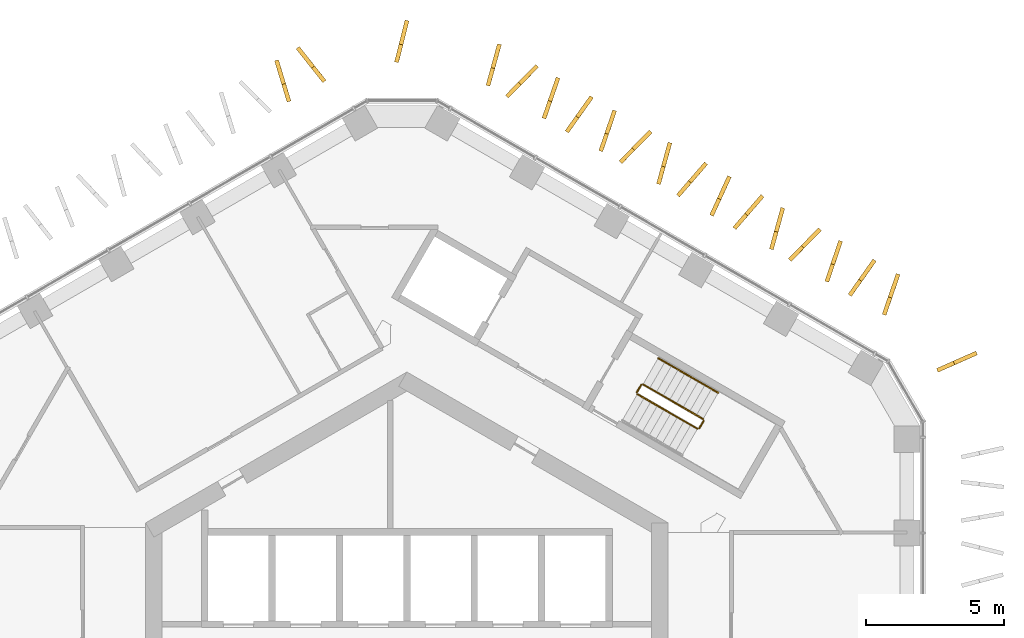
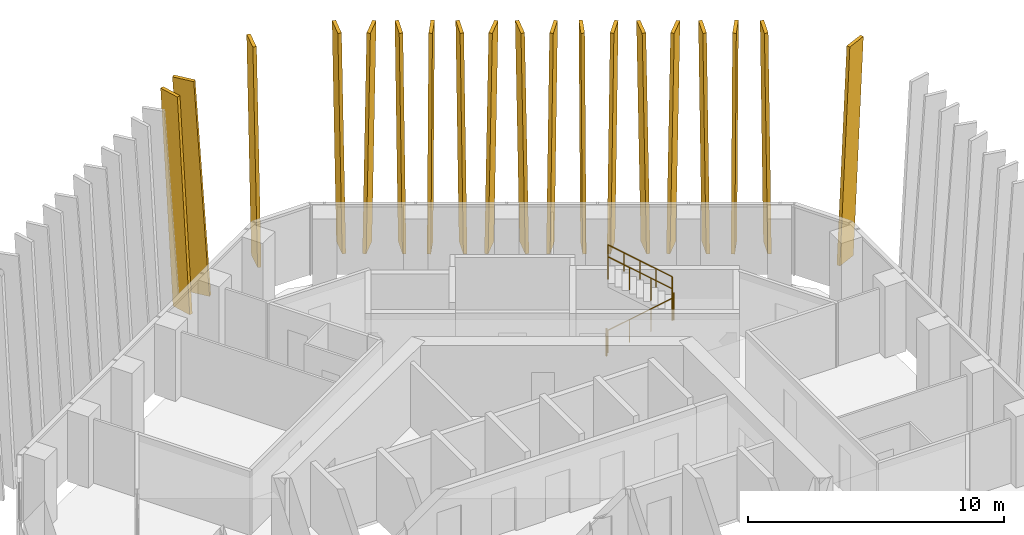
# One storey, part 20 of 20: 19 shading devices, 6 railings.
"""IFC4 building model written with IfcOpenShell, lengths in metres."""

from ifc_helpers import new_model, si_unit, direction, frame, origin, origin_2d, place, context, subcontext, project, spatial, polyline, circle, outline, extrude, material, layer, layer_set, type_object, element, save


model = new_model("IFC4")

# Units and contexts
model_context = context("Model", 3, precision=1e-05, world=origin(), true_north=direction((0.0, 1.0)))
body_context = subcontext(model_context, "Body", "Model", "MODEL_VIEW")
ifc_project = project(units=[si_unit("LENGTHUNIT", "METRE"), si_unit("AREAUNIT", "SQUARE_METRE"), si_unit("VOLUMEUNIT", "CUBIC_METRE"), si_unit("PLANEANGLEUNIT", "RADIAN"), si_unit("MASSUNIT", "GRAM", prefix="KILO")], contexts=[model_context])

# Site, building, storey
site_placement = place(None, origin())
site = spatial("IfcSite", under=ifc_project, at=site_placement, CompositionType="ELEMENT")
building_placement = place(site_placement, origin())
building = spatial("IfcBuilding", under=site, at=building_placement, Name="Ayvan Gate Tower", CompositionType="ELEMENT")
storey_placement = place(building_placement, frame((0.0, 0.0, 162.89990234375)))
storey = spatial("IfcBuildingStorey", under=building, at=storey_placement, Name="L43", CompositionType="ELEMENT", Elevation=162.89990234375)

# Shading devices
ifc_material_1 = material(Name="Bronze anodised aluminium", Category="aluminium")
ifc_layer = layer(ifc_material_1, 0.14990234375)
ifc_layer_set = layer_set([ifc_layer], Name="Bronze anodised aluminium")
shading_device_type = type_object("IfcShadingDeviceType", Name="Bronze fin 900 x 150", PredefinedType="USERDEFINED", material=ifc_layer_set)
shading_device_1_placement = place(storey_placement, frame((-2.94140625, 21.58251953125, 0.0), z_axis=(0.784625776684, 0.619969649995, 0.000153777416), x_axis=(-0.619969657325, 0.784625785962, -3.435e-09)))
element("IfcShadingDevice", 1, at=shading_device_1_placement, inside=storey, type_object=shading_device_type, Name="Bronze fin FG16.1.1", ObjectType="FIN", PredefinedType="USERDEFINED", context=body_context, shape_type="SweptSolid", body=[
    extrude(outline(polyline([(0.0, 0.0), (0.8998458105442935, 1.3552527156068805e-20), (1.5641588154903632, 10.080078249557001), (0.6639700861366734, 10.080078243374087), (0.0, 0.0)])), origin(), (0.0, 0.0, -1.0), 0.14990234375),
])
shading_device_2_placement = place(storey_placement, frame((-4.216552734375, 20.8291015625, 0.0), z_axis=(0.957527129808, 0.28834315552, 0.000142637055), x_axis=(-0.288343158453, 0.957527139549, 0.0)))
element("IfcShadingDevice", 2, at=shading_device_2_placement, inside=storey, type_object=shading_device_type, Name="Bronze fin FG16.1.2", ObjectType="FIN", PredefinedType="USERDEFINED", context=body_context, shape_type="SweptSolid", body=[
    extrude(outline(polyline([(0.0, 0.0), (0.900043842784266, 6.776263578034403e-21), (1.5641635301437735, 10.080078227541255), (0.6641196873595073, 10.080078227541255), (0.0, 0.0)])), origin(), (0.0, 0.0, -1.0), 0.14990234375),
])
shading_device_3_placement = place(storey_placement, frame((19.31396484375, 10.9609375, 0.0), z_axis=(0.403947415409, -0.914782192584, 0.000160362529), x_axis=(0.914782204346, 0.403947420602, 0.0)))
element("IfcShadingDevice", 3, at=shading_device_3_placement, inside=storey, type_object=shading_device_type, Name="Bronze fin FG16.10.80", ObjectType="FIN", PredefinedType="USERDEFINED", context=body_context, shape_type="SweptSolid", body=[
    extrude(outline(polyline([(0.0, 0.0), (0.899932446858565, -6.776263578034403e-21), (1.5641195708259832, 10.080078254610356), (0.664187123967418, 10.080078254610356), (0.0, 0.0)])), origin(), (0.0, 0.0, -1.0), 0.14990234375),
])
shading_device_4_placement = place(storey_placement, frame((17.421630859375, 13.028076171875, 0.0), z_axis=(0.945293661787, -0.326220584962, 0.000151431712), x_axis=(0.3262205887, 0.945293672627, 1.2718e-08)))
element("IfcShadingDevice", 4, at=shading_device_4_placement, inside=storey, type_object=shading_device_type, Name="Bronze fin FG16.11.81", ObjectType="FIN", PredefinedType="USERDEFINED", context=body_context, shape_type="SweptSolid", body=[
    extrude(outline(polyline([(0.0, 0.0), (0.8997852302365967, -6.776263578034403e-21), (1.5640706300630043, 10.080078220683616), (0.6639749715399507, 10.080078243575088), (0.0, 0.0)])), origin(), (0.0, 0.0, -1.0), 0.14990234375),
])
shading_device_5_placement = place(storey_placement, frame((16.161865234375, 13.717529296875, 0.0), z_axis=(0.815699135241, -0.578476357134, 0.000158129439), x_axis=(0.578476364368, 0.815699145437, -1.7493e-08)))
element("IfcShadingDevice", 5, at=shading_device_5_placement, inside=storey, type_object=shading_device_type, Name="Bronze fin FG16.11.82", ObjectType="FIN", PredefinedType="USERDEFINED", context=body_context, shape_type="SweptSolid", body=[
    extrude(outline(polyline([(0.0, 0.0), (0.900072611212821, 0.0), (1.5642204181873203, 10.080078278389374), (0.664289036555644, 10.08007824690111), (0.0, 0.0)])), origin(), (0.0, 0.0, -1.0), 0.14990234375),
])
shading_device_6_placement = place(storey_placement, frame((15.3369140625, 14.232177734375, 0.0), z_axis=(0.946088520748, -0.323908155921, 0.000132045907), x_axis=(0.323908158744, 0.946088528997, 5.801e-09)))
element("IfcShadingDevice", 6, at=shading_device_6_placement, inside=storey, type_object=shading_device_type, Name="Bronze fin FG16.11.83", ObjectType="FIN", PredefinedType="USERDEFINED", context=body_context, shape_type="SweptSolid", body=[
    extrude(outline(polyline([(0.0, 0.0), (0.9000740065138428, 0.0), (1.5641174021985342, 10.080078203805794), (0.664274374329466, 10.08007821424653), (0.0, 0.0)])), origin(), (0.0, 0.0, -1.0), 0.14990234375),
])
shading_device_7_placement = place(storey_placement, frame((13.97509765625, 14.99267578125, 0.0), z_axis=(0.712376912473, -0.701797057337, 0.000157761678), x_axis=(0.70179706607, 0.712376921338, 0.0)))
element("IfcShadingDevice", 7, at=shading_device_7_placement, inside=storey, type_object=shading_device_type, Name="Bronze fin FG16.11.84", ObjectType="FIN", PredefinedType="USERDEFINED", context=body_context, shape_type="SweptSolid", body=[
    extrude(outline(polyline([(0.0, 0.0), (0.8999635755267725, 0.0), (1.5642877378861004, 10.080078250440259), (0.6643241623593277, 10.080078250440259), (0.0, 0.0)])), origin(), (0.0, 0.0, -1.0), 0.14990234375),
])
shading_device_8_placement = place(storey_placement, frame((13.323486328125, 15.412109375, 0.0), z_axis=(0.963574225288, -0.267441009468, 0.000137169557), x_axis=(0.267441011984, 0.963574234353, -4.976e-09)))
element("IfcShadingDevice", 8, at=shading_device_8_placement, inside=storey, type_object=shading_device_type, Name="Bronze fin FG16.11.85", ObjectType="FIN", PredefinedType="USERDEFINED", context=body_context, shape_type="SweptSolid", body=[
    extrude(outline(polyline([(0.0, 0.0), (0.8999786421479704, 0.0), (1.5641747900774672, 10.080078227613825), (0.6639609003136883, 10.080078218656414), (0.0, 0.0)])), origin(), (0.0, 0.0, -1.0), 0.14990234375),
])
shading_device_9_placement = place(storey_placement, frame((11.96435546875, 16.145751953125, 0.0), z_axis=(0.755760674791, -0.654847907015, 0.000145319932), x_axis=(0.65484791393, 0.755760682771, 0.0)))
element("IfcShadingDevice", 9, at=shading_device_9_placement, inside=storey, type_object=shading_device_type, Name="Bronze fin FG16.11.86", ObjectType="FIN", PredefinedType="USERDEFINED", context=body_context, shape_type="SweptSolid", body=[
    extrude(outline(polyline([(0.0, 0.0), (0.8999883121155409, 0.0), (1.5641806337856001, 10.080078231434955), (0.6641923216700593, 10.080078231434955), (0.0, 0.0)])), origin(), (0.0, 0.0, -1.0), 0.14990234375),
])
shading_device_10_placement = place(storey_placement, frame((11.1435546875, 16.630859375, 0.0), z_axis=(0.90844306401, -0.418008588127, 0.000140372471), x_axis=(0.418008592246, 0.90844307296, 0.0)))
element("IfcShadingDevice", 10, at=shading_device_10_placement, inside=storey, type_object=shading_device_type, Name="Bronze fin FG16.11.87", ObjectType="FIN", PredefinedType="USERDEFINED", context=body_context, shape_type="SweptSolid", body=[
    extrude(outline(polyline([(0.0, 0.0), (0.9000310283186577, 0.0), (1.56425805198195, 10.0800782243111), (0.6642270236632923, 10.0800782243111), (0.0, 0.0)])), origin(), (0.0, 0.0, -1.0), 0.14990234375),
])
shading_device_11_placement = place(storey_placement, frame((9.910888671875, 17.331298828125, 0.0), z_axis=(0.75494121589, -0.655792450383, 0.000150236611), x_axis=(0.655792457785, 0.754941224409, -1.5382e-08)))
element("IfcShadingDevice", 11, at=shading_device_11_placement, inside=storey, type_object=shading_device_type, Name="Bronze fin FG16.11.88", ObjectType="FIN", PredefinedType="USERDEFINED", context=body_context, shape_type="SweptSolid", body=[
    extrude(outline(polyline([(0.0, 0.0), (0.9000750953258425, 0.0), (1.5642164984338918, 10.080078262820113), (0.6643015086885634, 10.080078235132191), (0.0, 0.0)])), origin(), (0.0, 0.0, -1.0), 0.14990234375),
])
shading_device_12_placement = place(storey_placement, frame((9.218994140625, 17.781982421875, 0.0), z_axis=(0.963679007325, -0.267063190066, 0.000152818116), x_axis=(0.267063193183, 0.963679018578, 1.4441e-08)))
element("IfcShadingDevice", 12, at=shading_device_12_placement, inside=storey, type_object=shading_device_type, Name="Bronze fin FG16.11.89", ObjectType="FIN", PredefinedType="USERDEFINED", context=body_context, shape_type="SweptSolid", body=[
    extrude(outline(polyline([(0.0, 0.0), (0.8998481582226807, 1.3552527156068805e-20), (1.5642150779709636, 10.080078220112492), (0.6640664455754898, 10.080078246106948), (0.0, 0.0)])), origin(), (0.0, 0.0, -1.0), 0.14990234375),
])
shading_device_13_placement = place(storey_placement, frame((7.81787109375, 18.547607421875, 0.0), z_axis=(0.712646093891, -0.701523714809, 0.000149738789), x_axis=(0.701523722674, 0.712646101881, 0.0)))
element("IfcShadingDevice", 13, at=shading_device_13_placement, inside=storey, type_object=shading_device_type, Name="Bronze fin FG16.11.90", ObjectType="FIN", PredefinedType="USERDEFINED", context=body_context, shape_type="SweptSolid", body=[
    extrude(outline(polyline([(0.0, 0.0), (0.8999662247254143, 0.0), (1.5641196778321773, 10.08007823800627), (0.6641534531067631, 10.08007823800627), (0.0, 0.0)])), origin(), (0.0, 0.0, -1.0), 0.14990234375),
])
shading_device_14_placement = place(storey_placement, frame((7.1181640625, 18.977294921875, 0.0), z_axis=(0.945949502807, -0.324313917581, 0.00014492343), x_axis=(0.324313920989, 0.94594951274, -1.8594e-08)))
element("IfcShadingDevice", 14, at=shading_device_14_placement, inside=storey, type_object=shading_device_type, Name="Bronze fin FG16.11.91", ObjectType="FIN", PredefinedType="USERDEFINED", context=body_context, shape_type="SweptSolid", body=[
    extrude(outline(polyline([(0.0, 0.0), (0.9000013184635414, 0.0), (1.5640438532245873, 10.080078259936812), (0.6641217129644126, 10.080078226468986), (0.0, 0.0)])), origin(), (0.0, 0.0, -1.0), 0.14990234375),
])
shading_device_15_placement = place(storey_placement, frame((5.873046875, 19.657958984375, 0.0), z_axis=(0.815023640414, -0.579427690439, 0.000130837626), x_axis=(0.5794276954, 0.815023647389, -1.0284e-08)))
element("IfcShadingDevice", 15, at=shading_device_15_placement, inside=storey, type_object=shading_device_type, Name="Bronze fin FG16.11.92", ObjectType="FIN", PredefinedType="USERDEFINED", context=body_context, shape_type="SweptSolid", body=[
    extrude(outline(polyline([(0.0, 0.0), (0.8998995591140819, 1.3552527156068805e-20), (1.564212897353353, 10.080078227363675), (0.6641143578566073, 10.080078208853099), (0.0, 0.0)])), origin(), (0.0, 0.0, -1.0), 0.14990234375),
])
shading_device_16_placement = place(storey_placement, frame((5.05419921875, 20.16796875, 0.0), z_axis=(0.944690579744, -0.327962932063, 0.000154059924), x_axis=(0.327962935956, 0.944690590955, -6.854e-09)))
element("IfcShadingDevice", 16, at=shading_device_16_placement, inside=storey, type_object=shading_device_type, Name="Bronze fin FG16.11.93", ObjectType="FIN", PredefinedType="USERDEFINED", context=body_context, shape_type="SweptSolid", body=[
    extrude(outline(polyline([(0.0, 0.0), (0.8998827703311786, 0.0), (1.564023170284602, 10.080078255342288), (0.6639097626021159, 10.080078243005271), (0.0, 0.0)])), origin(), (0.0, 0.0, -1.0), 0.14990234375),
])
shading_device_17_placement = place(storey_placement, frame((3.68798828125, 20.931884765625, 0.0), z_axis=(0.713250773499, -0.700908917559, 0.000152935938), x_axis=(0.700908925757, 0.713250781839, -1.454e-08)))
element("IfcShadingDevice", 17, at=shading_device_17_placement, inside=storey, type_object=shading_device_type, Name="Bronze fin FG16.11.94", ObjectType="FIN", PredefinedType="USERDEFINED", context=body_context, shape_type="SweptSolid", body=[
    extrude(outline(polyline([(0.0, 0.0), (0.8999719164089919, 0.0), (1.5641323038983166, 10.080078265625344), (0.6639862539976649, 10.080078239452362), (0.0, 0.0)])), origin(), (0.0, 0.0, -1.0), 0.14990234375),
])
shading_device_18_placement = place(storey_placement, frame((3.019287109375, 21.361572265625, 0.0), z_axis=(0.963783668122, -0.266685248632, 0.000138648245), x_axis=(0.266685251196, 0.963783677386, -5.016e-09)))
element("IfcShadingDevice", 18, at=shading_device_18_placement, inside=storey, type_object=shading_device_type, Name="Bronze fin FG16.11.95", ObjectType="FIN", PredefinedType="USERDEFINED", context=body_context, shape_type="SweptSolid", body=[
    extrude(outline(polyline([(0.0, 0.0), (0.8997830136715361, 0.0), (1.5640851482434115, 10.080078229732324), (0.6640668358225137, 10.080078220703937), (0.0, 0.0)])), origin(), (0.0, 0.0, -1.0), 0.14990234375),
])
shading_device_19_placement = place(storey_placement, frame((-0.306396484375, 22.216796875, 0.0), z_axis=(0.969436374158, -0.245342809297, 0.00014962004), x_axis=(0.245342812046, 0.969436385008, -1.9671e-08)))
element("IfcShadingDevice", 19, at=shading_device_19_placement, inside=storey, type_object=shading_device_type, Name="Bronze fin FG16.12.96", ObjectType="FIN", PredefinedType="USERDEFINED", context=body_context, shape_type="SweptSolid", body=[
    extrude(outline(polyline([(0.0, 0.0), (0.9000978722949677, 0.0), (1.5642857157072505, 10.080078268598381), (0.6642477415597547, 10.080078233187667), (0.0, 0.0)])), origin(), (0.0, 0.0, -1.0), 0.14990234375),
])

# Railings
ifc_material_2 = material(Name="Stainless steel balustrade", Category="steel")
railing_type_1 = type_object("IfcRailingType", Name="RL-GUARD-1100", PredefinedType="GUARDRAIL", material=ifc_material_2)
railing_1_placement = place(storey_placement, frame((8.381103515625, 10.16650390625, 0.170166015625)))
element("IfcRailing", 20, at=railing_1_placement, inside=storey, type_object=railing_type_1, Name="L43 STS1 stair guard 1", PredefinedType="GUARDRAIL", context=body_context, shape_type="SweptSolid", body=[
    extrude(circle(Radius=0.02392578125, at=origin_2d()), frame((0.0, 0.0, 1.076171875), z_axis=(0.740261155115, -0.427395438142, 0.518986090067), x_axis=(0.500004791531, 0.866022637375, 0.0)), (0.0, 0.0, 1.0), 2.947998046875),
    extrude(circle(Radius=0.02099609375, at=origin_2d()), origin(), (0.0, 0.0, 1.0), 1.052001953125),
    extrude(circle(Radius=0.02099609375, at=origin_2d()), frame((0.7275390625, -0.419921875, 0.510009765625)), (0.0, 0.0, 1.0), 1.052001953125),
    extrude(circle(Radius=0.02099609375, at=origin_2d()), frame((1.454833984375, -0.840087890625, 1.02001953125)), (0.0, 0.0, 1.0), 1.052001953125),
    extrude(circle(Radius=0.02099609375, at=origin_2d()), frame((2.182373046875, -1.260009765625, 1.530029296875)), (0.0, 0.0, 1.0), 1.052001953125),
])
railing_2_placement = place(storey_placement, frame((10.6318359375, 8.9248046875, 1.7001953125)))
element("IfcRailing", 21, at=railing_2_placement, inside=storey, type_object=railing_type_1, Name="L43 STS1 stair guard 2", PredefinedType="GUARDRAIL", context=body_context, shape_type="SweptSolid", body=[
    extrude(circle(Radius=0.02392578125, at=origin_2d()), frame((0.0, 0.0, 1.076171875), z_axis=(0.499949632511, 0.866054481515, 0.0), x_axis=(-0.866054481515, 0.499949632511, 0.0)), (0.0, 0.0, 1.0), 0.31005859375),
    extrude(circle(Radius=0.02099609375, at=origin_2d()), origin(), (0.0, 0.0, 1.0), 1.052001953125),
    extrude(circle(Radius=0.02099609375, at=origin_2d()), frame((0.155029296875, 0.2685546875, 0.0)), (0.0, 0.0, 1.0), 1.052001953125),
])
railing_3_placement = place(storey_placement, frame((10.7685546875, 9.261474609375, 1.8701171875)))
element("IfcRailing", 22, at=railing_3_placement, inside=storey, type_object=railing_type_1, Name="L43 STS1 stair guard 3", PredefinedType="GUARDRAIL", context=body_context, shape_type="SweptSolid", body=[
    extrude(circle(Radius=0.02392578125, at=origin_2d()), frame((0.0, 0.0, 1.076171875), z_axis=(-0.740261155115, 0.427395438142, 0.518986090067), x_axis=(-0.500004791531, -0.866022637375, 0.0)), (0.0, 0.0, 1.0), 2.947998046875),
    extrude(circle(Radius=0.02099609375, at=origin_2d()), origin(), (0.0, 0.0, 1.0), 1.052001953125),
    extrude(circle(Radius=0.02099609375, at=origin_2d()), frame((-0.7275390625, 0.419921875, 0.510009765625)), (0.0, 0.0, 1.0), 1.052001953125),
    extrude(circle(Radius=0.02099609375, at=origin_2d()), frame((-1.454833984375, 0.840087890625, 1.02001953125)), (0.0, 0.0, 1.0), 1.052001953125),
    extrude(circle(Radius=0.02099609375, at=origin_2d()), frame((-2.182373046875, 1.260009765625, 1.530029296875)), (0.0, 0.0, 1.0), 1.052001953125),
])
railing_4_placement = place(storey_placement, frame((8.36279296875, 10.23486328125, 0.0)))
element("IfcRailing", 23, at=railing_4_placement, inside=storey, type_object=railing_type_1, Name="L43 STS1 stair guard 4", PredefinedType="GUARDRAIL", context=body_context, shape_type="SweptSolid", body=[
    extrude(circle(Radius=0.02392578125, at=origin_2d()), frame((0.0, 0.0, 1.076171875), z_axis=(0.500290723946, 0.86585748916, 0.0), x_axis=(-0.86585748916, 0.500290723946, 0.0)), (0.0, 0.0, 1.0), 0.309814453125),
    extrude(circle(Radius=0.02099609375, at=origin_2d()), origin(), (0.0, 0.0, 1.0), 1.052001953125),
    extrude(circle(Radius=0.02099609375, at=origin_2d()), frame((0.155029296875, 0.268310546875, 0.0)), (0.0, 0.0, 1.0), 1.052001953125),
])
railing_type_2 = type_object("IfcRailingType", Name="RL-HANDRAIL-900", PredefinedType="HANDRAIL", material=ifc_material_2)
railing_5_placement = place(storey_placement, frame((11.318603515625, 10.214111328125, 1.8701171875)))
element("IfcRailing", 24, at=railing_5_placement, inside=storey, type_object=railing_type_2, Name="L43 STS1 stair handrail 3", PredefinedType="HANDRAIL", context=body_context, shape_type="SweptSolid", body=[
    extrude(circle(Radius=0.02392578125, at=origin_2d()), frame((0.0, 0.0, 0.8759765625), z_axis=(-0.740304193401, 0.427455284825, 0.518875399983), x_axis=(-0.500035496587, -0.86600490885, 0.0)), (0.0, 0.0, 1.0), 1.47412109375),
    extrude(circle(Radius=0.02099609375, at=origin_2d()), origin(), (0.0, 0.0, 1.0), 0.851806640625),
    extrude(circle(Radius=0.02099609375, at=origin_2d()), frame((-0.545654296875, 0.31494140625, 0.38232421875)), (0.0, 0.0, 1.0), 0.851806640625),
    extrude(circle(Radius=0.02099609375, at=origin_2d()), frame((-1.09130859375, 0.630126953125, 0.764892578125)), (0.0, 0.0, 1.0), 0.851806640625),
])
railing_6_placement = place(storey_placement, frame((10.227294921875, 10.84423828125, 2.635009765625)))
element("IfcRailing", 25, at=railing_6_placement, inside=storey, type_object=railing_type_2, Name="L43 STS1 stair handrail 4", PredefinedType="HANDRAIL", context=body_context, shape_type="SweptSolid", body=[
    extrude(circle(Radius=0.02392578125, at=origin_2d()), frame((0.0, 0.0, 0.8759765625), z_axis=(-0.740292964666, 0.42728318766, 0.519033143459), x_axis=(-0.499890179513, -0.866088799389, 0.0)), (0.0, 0.0, 1.0), 1.47412109375),
    extrude(circle(Radius=0.02099609375, at=origin_2d()), origin(), (0.0, 0.0, 1.0), 0.851806640625),
    extrude(circle(Radius=0.02099609375, at=origin_2d()), frame((-0.545654296875, 0.31494140625, 0.382568359375)), (0.0, 0.0, 1.0), 0.851806640625),
    extrude(circle(Radius=0.02099609375, at=origin_2d()), frame((-1.09130859375, 0.6298828125, 0.76513671875)), (0.0, 0.0, 1.0), 0.851806640625),
])

save(model, "model.ifc")
